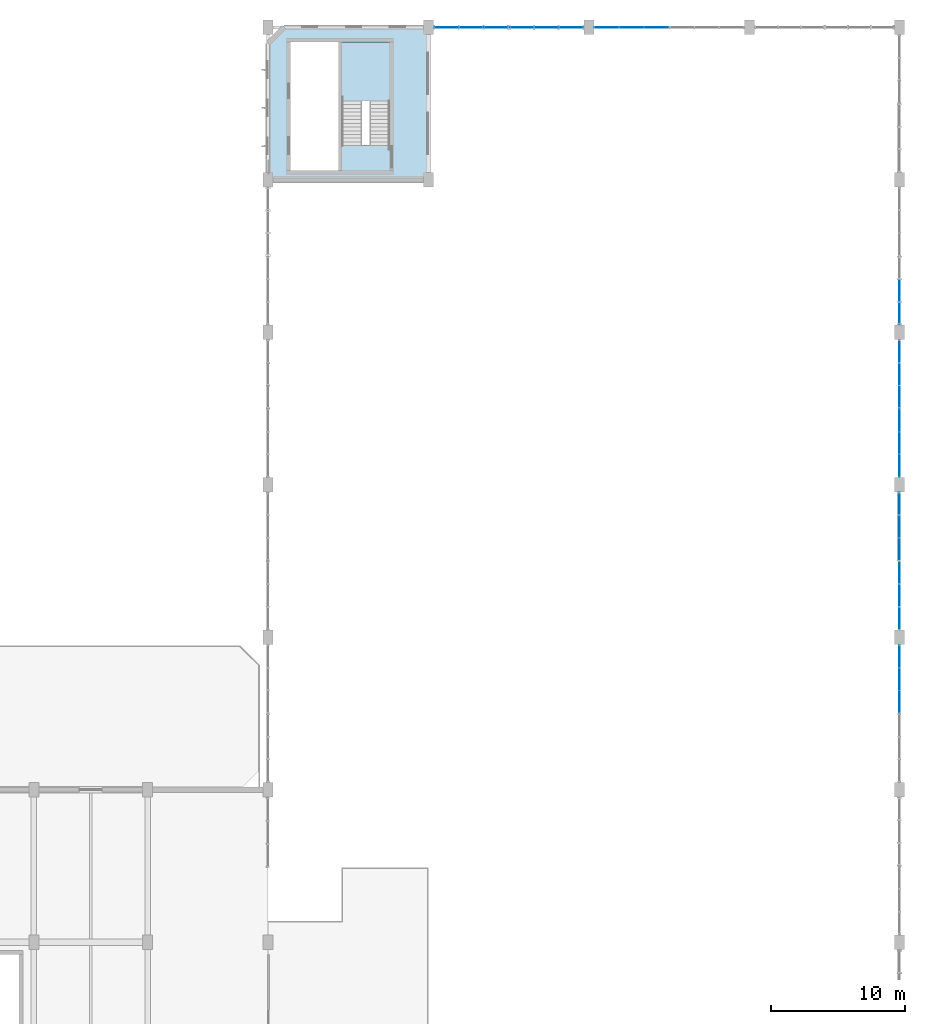
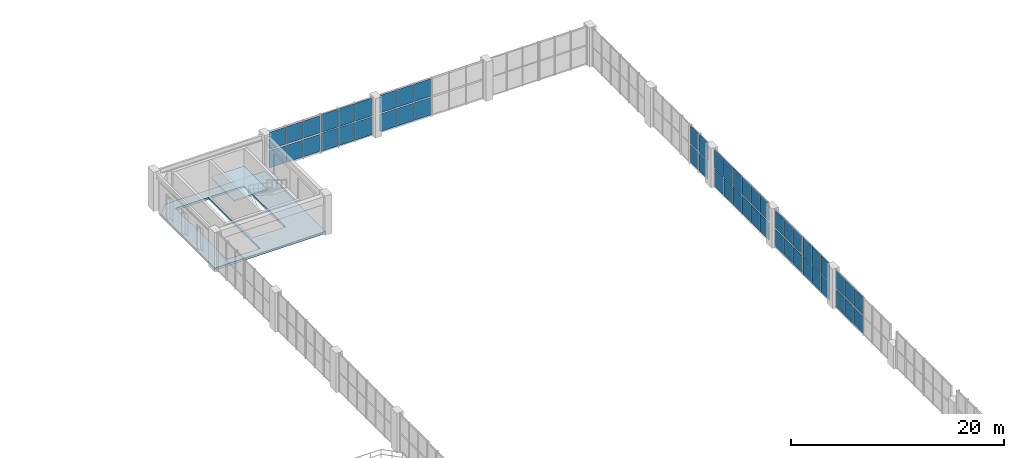
# One storey, part 60 of 80: 52 plates, 2 slabs, 10 elements without a shape of their own.
"""IFC4 building model written with IfcOpenShell, lengths in metres."""

from ifc_helpers import new_model, si_unit, direction, frame, origin, origin_2d, place, context, subcontext, project, spatial, polyline, rectangle, outline, extrude, material, layer, layer_set, type_object, element, aggregate, save


model = new_model("IFC4")

# Units and contexts
model_context = context("Model", 3, precision=1e-05, world=origin(), true_north=direction((0.0, 1.0)))
body_context = subcontext(model_context, "Body", "Model", "MODEL_VIEW")
ifc_project = project(units=[si_unit("LENGTHUNIT", "METRE"), si_unit("AREAUNIT", "SQUARE_METRE"), si_unit("VOLUMEUNIT", "CUBIC_METRE"), si_unit("PLANEANGLEUNIT", "RADIAN"), si_unit("MASSUNIT", "GRAM", prefix="KILO"), si_unit("POWERUNIT", "WATT"), si_unit("THERMODYNAMICTEMPERATUREUNIT", "KELVIN")], contexts=[model_context])

# Site, building, storey
site_placement = place(None, origin())
site = spatial("IfcSite", under=ifc_project, at=site_placement, CompositionType="ELEMENT")
building_placement = place(site_placement, origin())
building = spatial("IfcBuilding", under=site, at=building_placement, Name="Kelmbourne Parkland Aquatics Centre", CompositionType="ELEMENT")
storey_placement = place(building_placement, frame((0.0, 0.0, 10.199951171875)))
storey = spatial("IfcBuildingStorey", under=building, at=storey_placement, Name="L02", CompositionType="ELEMENT", Elevation=10.199951171875)

# Curtain wall, plates
ifc_material_1 = material(Name="Thermally broken anodised aluminium framing", Category="aluminium")
ifc_layer_1 = layer(ifc_material_1, 0.179931640625)
ifc_layer_set_1 = layer_set([ifc_layer_1], Name="Thermally broken anodised aluminium framing")
curtain_wall_type_1 = type_object("IfcCurtainWallType", Name="CW-07", PredefinedType="NOTDEFINED", material=ifc_layer_set_1)
curtain_wall_1_placement = place(storey_placement, origin())
curtain_wall_1 = element("IfcCurtainWall", 1, at=curtain_wall_1_placement, inside=storey, type_object=curtain_wall_type_1, Name="Wave-hall clerestory curtain wall CW-L02-055", PredefinedType="NOTDEFINED")
ifc_material_2 = material(Name="Double-glazed low-e laminated safety glass", Category="glass")
ifc_layer_2 = layer(ifc_material_2, 0.0419921875)
ifc_layer_set_2 = layer_set([ifc_layer_2], Name="Double-glazed low-e laminated safety glass")
plate_type_1 = type_object("IfcPlateType", Name="PL-CLR-1", PredefinedType="USERDEFINED", material=ifc_layer_set_2)
plate_1_placement = place(storey_placement, frame((175.199951171875, 64.379638671875, 2.2939453125), z_axis=(0.0, 0.0, 1.0), x_axis=(0.0, 1.0, 0.0)))
plate_1 = element("IfcPlate", 2, at=plate_1_placement, type_object=plate_type_1, Name="CW-L02-055 clerestory glazing 1-0", ObjectType="CLERESTORY GLAZING", PredefinedType="USERDEFINED", context=body_context, shape_type="SweptSolid", body=[
    extrude(rectangle(XDim=1.641357421875, YDim=0.0419921875, at=origin_2d()), origin(), (0.0, 0.0, 1.0), 2.009033203125),
])
plate_2_placement = place(storey_placement, frame((175.199951171875, 66.073974609375, 2.2939453125), z_axis=(0.0, 0.0, 1.0), x_axis=(0.0, 1.0, 0.0)))
plate_2 = element("IfcPlate", 3, at=plate_2_placement, type_object=plate_type_1, Name="CW-L02-055 clerestory glazing 1-1", ObjectType="CLERESTORY GLAZING", PredefinedType="USERDEFINED", context=body_context, shape_type="SweptSolid", body=[
    extrude(rectangle(XDim=1.641357421875, YDim=0.0419921875, at=origin_2d()), origin(), (0.0, 0.0, 1.0), 2.009033203125),
])
plate_3_placement = place(storey_placement, frame((175.199951171875, 67.768310546875, 2.2939453125), z_axis=(0.0, 0.0, 1.0), x_axis=(0.0, 1.0, 0.0)))
plate_3 = element("IfcPlate", 4, at=plate_3_placement, type_object=plate_type_1, Name="CW-L02-055 clerestory glazing 1-2", ObjectType="CLERESTORY GLAZING", PredefinedType="USERDEFINED", context=body_context, shape_type="SweptSolid", body=[
    extrude(rectangle(XDim=1.641357421875, YDim=0.0419921875, at=origin_2d()), origin(), (0.0, 0.0, 1.0), 2.009033203125),
])

ifc_layer_3 = layer(ifc_material_1, 0.179931640625)
ifc_layer_set_3 = layer_set([ifc_layer_3], Name="Thermally broken anodised aluminium framing")
curtain_wall_type_2 = type_object("IfcCurtainWallType", Name="CW-12", PredefinedType="NOTDEFINED", material=ifc_layer_set_3)
curtain_wall_2_placement = place(storey_placement, origin())
curtain_wall_2 = element("IfcCurtainWall", 5, at=curtain_wall_2_placement, inside=storey, type_object=curtain_wall_type_2, Name="Wave-hall clerestory curtain wall CW-L02-060", PredefinedType="NOTDEFINED")
plate_4_placement = place(storey_placement, frame((175.199951171875, 70.631591796875, 2.279296875), z_axis=(0.0, 0.0, 1.0), x_axis=(0.0, 1.0, 0.0)))
plate_4 = element("IfcPlate", 6, at=plate_4_placement, type_object=plate_type_1, Name="CW-L02-060 clerestory glazing 1-0", ObjectType="CLERESTORY GLAZING", PredefinedType="USERDEFINED", context=body_context, shape_type="SweptSolid", body=[
    extrude(rectangle(XDim=1.641357421875, YDim=0.0419921875, at=origin_2d()), origin(), (0.0, 0.0, 1.0), 2.053955078125),
])
plate_5_placement = place(storey_placement, frame((175.199951171875, 72.325927734375, 2.279296875), z_axis=(0.0, 0.0, 1.0), x_axis=(0.0, 1.0, 0.0)))
plate_5 = element("IfcPlate", 7, at=plate_5_placement, type_object=plate_type_1, Name="CW-L02-060 clerestory glazing 1-1", ObjectType="CLERESTORY GLAZING", PredefinedType="USERDEFINED", context=body_context, shape_type="SweptSolid", body=[
    extrude(rectangle(XDim=1.641357421875, YDim=0.0419921875, at=origin_2d()), origin(), (0.0, 0.0, 1.0), 2.053955078125),
])
plate_6_placement = place(storey_placement, frame((175.199951171875, 74.020263671875, 2.279296875), z_axis=(0.0, 0.0, 1.0), x_axis=(0.0, 1.0, 0.0)))
plate_6 = element("IfcPlate", 8, at=plate_6_placement, type_object=plate_type_1, Name="CW-L02-060 clerestory glazing 1-2", ObjectType="CLERESTORY GLAZING", PredefinedType="USERDEFINED", context=body_context, shape_type="SweptSolid", body=[
    extrude(rectangle(XDim=1.641357421875, YDim=0.0419921875, at=origin_2d()), origin(), (0.0, 0.0, 1.0), 2.053955078125),
])

ifc_layer_4 = layer(ifc_material_1, 0.179931640625)
ifc_layer_set_4 = layer_set([ifc_layer_4], Name="Thermally broken anodised aluminium framing")
curtain_wall_type_3 = type_object("IfcCurtainWallType", Name="CW-17", PredefinedType="NOTDEFINED", material=ifc_layer_set_4)
curtain_wall_3_placement = place(storey_placement, origin())
curtain_wall_3 = element("IfcCurtainWall", 9, at=curtain_wall_3_placement, inside=storey, type_object=curtain_wall_type_3, Name="Wave-hall clerestory curtain wall CW-L02-065", PredefinedType="NOTDEFINED")
plate_7_placement = place(storey_placement, frame((175.199951171875, 75.77978515625, 2.30908203125), z_axis=(0.0, 0.0, 1.0), x_axis=(0.0, 1.0, 0.0)))
plate_7 = element("IfcPlate", 10, at=plate_7_placement, type_object=plate_type_1, Name="CW-L02-065 clerestory glazing 1-0", ObjectType="CLERESTORY GLAZING", PredefinedType="USERDEFINED", context=body_context, shape_type="SweptSolid", body=[
    extrude(rectangle(XDim=1.641357421875, YDim=0.0419921875, at=origin_2d()), origin(), (0.0, 0.0, 1.0), 1.964111328125),
])
plate_8_placement = place(storey_placement, frame((175.199951171875, 77.47412109375, 2.30908203125), z_axis=(0.0, 0.0, 1.0), x_axis=(0.0, 1.0, 0.0)))
plate_8 = element("IfcPlate", 11, at=plate_8_placement, type_object=plate_type_1, Name="CW-L02-065 clerestory glazing 1-1", ObjectType="CLERESTORY GLAZING", PredefinedType="USERDEFINED", context=body_context, shape_type="SweptSolid", body=[
    extrude(rectangle(XDim=1.641357421875, YDim=0.0419921875, at=origin_2d()), origin(), (0.0, 0.0, 1.0), 1.964111328125),
])
plate_9_placement = place(storey_placement, frame((175.199951171875, 79.16845703125, 2.30908203125), z_axis=(0.0, 0.0, 1.0), x_axis=(0.0, 1.0, 0.0)))
plate_9 = element("IfcPlate", 12, at=plate_9_placement, type_object=plate_type_1, Name="CW-L02-065 clerestory glazing 1-2", ObjectType="CLERESTORY GLAZING", PredefinedType="USERDEFINED", context=body_context, shape_type="SweptSolid", body=[
    extrude(rectangle(XDim=1.641357421875, YDim=0.0419921875, at=origin_2d()), origin(), (0.0, 0.0, 1.0), 1.964111328125),
])

ifc_layer_5 = layer(ifc_material_1, 0.179931640625)
ifc_layer_set_5 = layer_set([ifc_layer_5], Name="Thermally broken anodised aluminium framing")
curtain_wall_type_4 = type_object("IfcCurtainWallType", Name="CW-22", PredefinedType="NOTDEFINED", material=ifc_layer_set_5)
curtain_wall_4_placement = place(storey_placement, origin())
curtain_wall_4 = element("IfcCurtainWall", 13, at=curtain_wall_4_placement, inside=storey, type_object=curtain_wall_type_4, Name="Wave-hall clerestory curtain wall CW-L02-070", PredefinedType="NOTDEFINED")
plate_10_placement = place(storey_placement, frame((175.199951171875, 82.031494140625, 2.2939453125), z_axis=(0.0, 0.0, 1.0), x_axis=(0.0, 1.0, 0.0)))
plate_10 = element("IfcPlate", 14, at=plate_10_placement, type_object=plate_type_1, Name="CW-L02-070 clerestory glazing 1-0", ObjectType="CLERESTORY GLAZING", PredefinedType="USERDEFINED", context=body_context, shape_type="SweptSolid", body=[
    extrude(rectangle(XDim=1.641357421875, YDim=0.0419921875, at=origin_2d()), origin(), (0.0, 0.0, 1.0), 2.009033203125),
])
plate_11_placement = place(storey_placement, frame((175.199951171875, 83.72607421875, 2.2939453125), z_axis=(0.0, 0.0, 1.0), x_axis=(0.0, 1.0, 0.0)))
plate_11 = element("IfcPlate", 15, at=plate_11_placement, type_object=plate_type_1, Name="CW-L02-070 clerestory glazing 1-1", ObjectType="CLERESTORY GLAZING", PredefinedType="USERDEFINED", context=body_context, shape_type="SweptSolid", body=[
    extrude(rectangle(XDim=1.641357421875, YDim=0.0419921875, at=origin_2d()), origin(), (0.0, 0.0, 1.0), 2.009033203125),
])
plate_12_placement = place(storey_placement, frame((175.199951171875, 85.42041015625, 2.2939453125), z_axis=(0.0, 0.0, 1.0), x_axis=(0.0, 1.0, 0.0)))
plate_12 = element("IfcPlate", 16, at=plate_12_placement, type_object=plate_type_1, Name="CW-L02-070 clerestory glazing 1-2", ObjectType="CLERESTORY GLAZING", PredefinedType="USERDEFINED", context=body_context, shape_type="SweptSolid", body=[
    extrude(rectangle(XDim=1.641357421875, YDim=0.0419921875, at=origin_2d()), origin(), (0.0, 0.0, 1.0), 2.009033203125),
])

ifc_layer_6 = layer(ifc_material_1, 0.179931640625)
ifc_layer_set_6 = layer_set([ifc_layer_6], Name="Thermally broken anodised aluminium framing")
curtain_wall_type_5 = type_object("IfcCurtainWallType", Name="CW-03", PredefinedType="NOTDEFINED", material=ifc_layer_set_6)
curtain_wall_5_placement = place(storey_placement, origin())
curtain_wall_5 = element("IfcCurtainWall", 17, at=curtain_wall_5_placement, inside=storey, type_object=curtain_wall_type_5, Name="Wave-hall clerestory curtain wall CW-L02-075", PredefinedType="NOTDEFINED")
plate_13_placement = place(storey_placement, frame((175.199951171875, 87.1796875, 2.279296875), z_axis=(0.0, 0.0, 1.0), x_axis=(0.0, 1.0, 0.0)))
plate_13 = element("IfcPlate", 18, at=plate_13_placement, type_object=plate_type_1, Name="CW-L02-075 clerestory glazing 1-0", ObjectType="CLERESTORY GLAZING", PredefinedType="USERDEFINED", context=body_context, shape_type="SweptSolid", body=[
    extrude(rectangle(XDim=1.641357421875, YDim=0.0419921875, at=origin_2d()), origin(), (0.0, 0.0, 1.0), 2.053955078125),
])
plate_14_placement = place(storey_placement, frame((175.199951171875, 88.8740234375, 2.279296875), z_axis=(0.0, 0.0, 1.0), x_axis=(0.0, 1.0, 0.0)))
plate_14 = element("IfcPlate", 19, at=plate_14_placement, type_object=plate_type_1, Name="CW-L02-075 clerestory glazing 1-1", ObjectType="CLERESTORY GLAZING", PredefinedType="USERDEFINED", context=body_context, shape_type="SweptSolid", body=[
    extrude(rectangle(XDim=1.641357421875, YDim=0.0419921875, at=origin_2d()), origin(), (0.0, 0.0, 1.0), 2.053955078125),
])
plate_15_placement = place(storey_placement, frame((175.199951171875, 90.568359375, 2.279296875), z_axis=(0.0, 0.0, 1.0), x_axis=(0.0, 1.0, 0.0)))
plate_15 = element("IfcPlate", 20, at=plate_15_placement, type_object=plate_type_1, Name="CW-L02-075 clerestory glazing 1-2", ObjectType="CLERESTORY GLAZING", PredefinedType="USERDEFINED", context=body_context, shape_type="SweptSolid", body=[
    extrude(rectangle(XDim=1.641357421875, YDim=0.0419921875, at=origin_2d()), origin(), (0.0, 0.0, 1.0), 2.053955078125),
])

curtain_wall_6_placement = place(storey_placement, origin())
curtain_wall_6 = element("IfcCurtainWall", 21, at=curtain_wall_6_placement, inside=storey, type_object=curtain_wall_type_2, Name="Wave-hall clerestory curtain wall CW-L02-084", PredefinedType="NOTDEFINED")
plate_16_placement = place(storey_placement, frame((175.199951171875, 93.445068359375, 2.279296875), z_axis=(0.0, 0.0, 1.0), x_axis=(0.0, 1.0, 0.0)))
plate_16 = element("IfcPlate", 22, at=plate_16_placement, type_object=plate_type_1, Name="CW-L02-084 clerestory glazing 1-0", ObjectType="CLERESTORY GLAZING", PredefinedType="USERDEFINED", context=body_context, shape_type="SweptSolid", body=[
    extrude(rectangle(XDim=1.587890625, YDim=0.0419921875, at=origin_2d()), origin(), (0.0, 0.0, 1.0), 2.053955078125),
])
plate_17_placement = place(storey_placement, frame((175.199951171875, 95.1259765625, 2.279296875), z_axis=(0.0, 0.0, 1.0), x_axis=(0.0, 1.0, 0.0)))
plate_17 = element("IfcPlate", 23, at=plate_17_placement, type_object=plate_type_1, Name="CW-L02-084 clerestory glazing 1-1", ObjectType="CLERESTORY GLAZING", PredefinedType="USERDEFINED", context=body_context, shape_type="SweptSolid", body=[
    extrude(rectangle(XDim=1.587890625, YDim=0.0419921875, at=origin_2d()), origin(), (0.0, 0.0, 1.0), 2.053955078125),
])

ifc_layer_7 = layer(ifc_material_1, 0.179931640625)
ifc_layer_set_7 = layer_set([ifc_layer_7], Name="Thermally broken anodised aluminium framing")
curtain_wall_type_6 = type_object("IfcCurtainWallType", Name="CW-23", PredefinedType="NOTDEFINED", material=ifc_layer_set_7)
curtain_wall_7_placement = place(storey_placement, origin())
curtain_wall_7 = element("IfcCurtainWall", 24, at=curtain_wall_7_placement, inside=storey, type_object=curtain_wall_type_6, Name="Wave-hall clerestory curtain wall CW-L02-143", PredefinedType="NOTDEFINED")
plate_18_placement = place(storey_placement, frame((141.345947265625, 114.800048828125, 2.30908203125), z_axis=(0.0, 0.0, 1.0), x_axis=(1.0, 0.0, 0.0)))
plate_18 = element("IfcPlate", 25, at=plate_18_placement, type_object=plate_type_1, Name="CW-L02-143 clerestory glazing 1-0", ObjectType="CLERESTORY GLAZING", PredefinedType="USERDEFINED", context=body_context, shape_type="SweptSolid", body=[
    extrude(rectangle(XDim=1.759765625, YDim=0.0419921875, at=origin_2d()), origin(), (0.0, 0.0, 1.0), 1.964111328125),
])
plate_19_placement = place(storey_placement, frame((143.1884765625, 114.800048828125, 2.30908203125), z_axis=(0.0, 0.0, 1.0), x_axis=(1.0, 0.0, 0.0)))
plate_19 = element("IfcPlate", 26, at=plate_19_placement, type_object=plate_type_1, Name="CW-L02-143 clerestory glazing 1-1", ObjectType="CLERESTORY GLAZING", PredefinedType="USERDEFINED", context=body_context, shape_type="SweptSolid", body=[
    extrude(rectangle(XDim=1.759521484375, YDim=0.0419921875, at=origin_2d()), origin(), (0.0, 0.0, 1.0), 1.964111328125),
])
plate_20_placement = place(storey_placement, frame((145.031005859375, 114.800048828125, 2.30908203125), z_axis=(0.0, 0.0, 1.0), x_axis=(1.0, 0.0, 0.0)))
plate_20 = element("IfcPlate", 27, at=plate_20_placement, type_object=plate_type_1, Name="CW-L02-143 clerestory glazing 1-2", ObjectType="CLERESTORY GLAZING", PredefinedType="USERDEFINED", context=body_context, shape_type="SweptSolid", body=[
    extrude(rectangle(XDim=1.759765625, YDim=0.0419921875, at=origin_2d()), origin(), (0.0, 0.0, 1.0), 1.964111328125),
])

ifc_layer_8 = layer(ifc_material_1, 0.179931640625)
ifc_layer_set_8 = layer_set([ifc_layer_8], Name="Thermally broken anodised aluminium framing")
curtain_wall_type_7 = type_object("IfcCurtainWallType", Name="CW-24", PredefinedType="NOTDEFINED", material=ifc_layer_set_8)
curtain_wall_8_placement = place(storey_placement, origin())
curtain_wall_8 = element("IfcCurtainWall", 28, at=curtain_wall_8_placement, inside=storey, type_object=curtain_wall_type_7, Name="Wave-hall clerestory curtain wall CW-L02-144", PredefinedType="NOTDEFINED")
plate_21_placement = place(storey_placement, frame((146.97216796875, 114.800048828125, 2.279296875), z_axis=(0.0, 0.0, 1.0), x_axis=(1.0, 0.0, 0.0)))
plate_21 = element("IfcPlate", 29, at=plate_21_placement, type_object=plate_type_1, Name="CW-L02-144 clerestory glazing 1-0", ObjectType="CLERESTORY GLAZING", PredefinedType="USERDEFINED", context=body_context, shape_type="SweptSolid", body=[
    extrude(rectangle(XDim=1.746337890625, YDim=0.0419921875, at=origin_2d()), origin(), (0.0, 0.0, 1.0), 2.053955078125),
])
plate_22_placement = place(storey_placement, frame((148.8115234375, 114.800048828125, 2.279296875), z_axis=(0.0, 0.0, 1.0), x_axis=(1.0, 0.0, 0.0)))
plate_22 = element("IfcPlate", 30, at=plate_22_placement, type_object=plate_type_1, Name="CW-L02-144 clerestory glazing 1-1", ObjectType="CLERESTORY GLAZING", PredefinedType="USERDEFINED", context=body_context, shape_type="SweptSolid", body=[
    extrude(rectangle(XDim=1.746337890625, YDim=0.0419921875, at=origin_2d()), origin(), (0.0, 0.0, 1.0), 2.053955078125),
])
plate_23_placement = place(storey_placement, frame((150.65087890625, 114.800048828125, 2.279296875), z_axis=(0.0, 0.0, 1.0), x_axis=(1.0, 0.0, 0.0)))
plate_23 = element("IfcPlate", 31, at=plate_23_placement, type_object=plate_type_1, Name="CW-L02-144 clerestory glazing 1-2", ObjectType="CLERESTORY GLAZING", PredefinedType="USERDEFINED", context=body_context, shape_type="SweptSolid", body=[
    extrude(rectangle(XDim=1.746337890625, YDim=0.0419921875, at=origin_2d()), origin(), (0.0, 0.0, 1.0), 2.053955078125),
])

ifc_layer_9 = layer(ifc_material_1, 0.179931640625)
ifc_layer_set_9 = layer_set([ifc_layer_9], Name="Thermally broken anodised aluminium framing")
curtain_wall_type_8 = type_object("IfcCurtainWallType", Name="CW-01", PredefinedType="NOTDEFINED", material=ifc_layer_set_9)
curtain_wall_9_placement = place(storey_placement, origin())
curtain_wall_9 = element("IfcCurtainWall", 32, at=curtain_wall_9_placement, inside=storey, type_object=curtain_wall_type_8, Name="Wave-hall clerestory curtain wall CW-L02-145", PredefinedType="NOTDEFINED")
plate_24_placement = place(storey_placement, frame((153.3359375, 114.800048828125, 2.2939453125), z_axis=(0.0, 0.0, 1.0), x_axis=(1.0, 0.0, 0.0)))
plate_24 = element("IfcPlate", 33, at=plate_24_placement, type_object=plate_type_1, Name="CW-L02-145 clerestory glazing 1-0", ObjectType="CLERESTORY GLAZING", PredefinedType="USERDEFINED", context=body_context, shape_type="SweptSolid", body=[
    extrude(rectangle(XDim=1.7998046875, YDim=0.0419921875, at=origin_2d()), origin(), (0.0, 0.0, 1.0), 2.009033203125),
])
plate_25_placement = place(storey_placement, frame((155.1884765625, 114.800048828125, 2.2939453125), z_axis=(0.0, 0.0, 1.0), x_axis=(1.0, 0.0, 0.0)))
plate_25 = element("IfcPlate", 34, at=plate_25_placement, type_object=plate_type_1, Name="CW-L02-145 clerestory glazing 1-1", ObjectType="CLERESTORY GLAZING", PredefinedType="USERDEFINED", context=body_context, shape_type="SweptSolid", body=[
    extrude(rectangle(XDim=1.799560546875, YDim=0.0419921875, at=origin_2d()), origin(), (0.0, 0.0, 1.0), 2.009033203125),
])
plate_26_placement = place(storey_placement, frame((157.041259765625, 114.800048828125, 2.2939453125), z_axis=(0.0, 0.0, 1.0), x_axis=(1.0, 0.0, 0.0)))
plate_26 = element("IfcPlate", 35, at=plate_26_placement, type_object=plate_type_1, Name="CW-L02-145 clerestory glazing 1-2", ObjectType="CLERESTORY GLAZING", PredefinedType="USERDEFINED", context=body_context, shape_type="SweptSolid", body=[
    extrude(rectangle(XDim=1.7998046875, YDim=0.0419921875, at=origin_2d()), origin(), (0.0, 0.0, 1.0), 2.009033203125),
])

# Plate
ifc_layer_10 = layer(ifc_material_2, 0.02392578125)
ifc_layer_set_10 = layer_set([ifc_layer_10], Name="Double-glazed low-e laminated safety glass")
plate_type_2 = type_object("IfcPlateType", Name="PL-CWP-1", PredefinedType="CURTAIN_PANEL", material=ifc_layer_set_10)
plate_27_placement = place(storey_placement, frame((175.199951171875, 70.631591796875, 0.1171875), z_axis=(0.0, 0.0, 1.0), x_axis=(0.0, 1.0, 0.0)))
plate_27 = element("IfcPlate", 36, at=plate_27_placement, type_object=plate_type_2, Name="CW-L02-060 vision glazing 0-0", PredefinedType="CURTAIN_PANEL", context=body_context, shape_type="SweptSolid", body=[
    extrude(rectangle(XDim=1.641357421875, YDim=0.02392578125, at=origin_2d()), origin(), (0.0, 0.0, 1.0), 2.053955078125),
])

plate_28_placement = place(storey_placement, frame((175.199951171875, 72.325927734375, 0.1171875), z_axis=(0.0, 0.0, 1.0), x_axis=(0.0, 1.0, 0.0)))
plate_28 = element("IfcPlate", 37, at=plate_28_placement, type_object=plate_type_2, Name="CW-L02-060 vision glazing 0-1", PredefinedType="CURTAIN_PANEL", context=body_context, shape_type="SweptSolid", body=[
    extrude(rectangle(XDim=1.641357421875, YDim=0.02392578125, at=origin_2d()), origin(), (0.0, 0.0, 1.0), 2.053955078125),
])

plate_29_placement = place(storey_placement, frame((175.199951171875, 74.020263671875, 0.1171875), z_axis=(0.0, 0.0, 1.0), x_axis=(0.0, 1.0, 0.0)))
plate_29 = element("IfcPlate", 38, at=plate_29_placement, type_object=plate_type_2, Name="CW-L02-060 vision glazing 0-2", PredefinedType="CURTAIN_PANEL", context=body_context, shape_type="SweptSolid", body=[
    extrude(rectangle(XDim=1.641357421875, YDim=0.02392578125, at=origin_2d()), origin(), (0.0, 0.0, 1.0), 2.053955078125),
])

aggregate(curtain_wall_2, [plate_27, plate_28, plate_29, plate_4, plate_5, plate_6])

plate_30_placement = place(storey_placement, frame((175.199951171875, 87.1796875, 0.1171875), z_axis=(0.0, 0.0, 1.0), x_axis=(0.0, 1.0, 0.0)))
plate_30 = element("IfcPlate", 39, at=plate_30_placement, type_object=plate_type_2, Name="CW-L02-075 vision glazing 0-0", PredefinedType="CURTAIN_PANEL", context=body_context, shape_type="SweptSolid", body=[
    extrude(rectangle(XDim=1.641357421875, YDim=0.02392578125, at=origin_2d()), origin(), (0.0, 0.0, 1.0), 2.053955078125),
])

plate_31_placement = place(storey_placement, frame((175.199951171875, 88.8740234375, 0.1171875), z_axis=(0.0, 0.0, 1.0), x_axis=(0.0, 1.0, 0.0)))
plate_31 = element("IfcPlate", 40, at=plate_31_placement, type_object=plate_type_2, Name="CW-L02-075 vision glazing 0-1", PredefinedType="CURTAIN_PANEL", context=body_context, shape_type="SweptSolid", body=[
    extrude(rectangle(XDim=1.641357421875, YDim=0.02392578125, at=origin_2d()), origin(), (0.0, 0.0, 1.0), 2.053955078125),
])

plate_32_placement = place(storey_placement, frame((175.199951171875, 90.568359375, 0.1171875), z_axis=(0.0, 0.0, 1.0), x_axis=(0.0, 1.0, 0.0)))
plate_32 = element("IfcPlate", 41, at=plate_32_placement, type_object=plate_type_2, Name="CW-L02-075 vision glazing 0-2", PredefinedType="CURTAIN_PANEL", context=body_context, shape_type="SweptSolid", body=[
    extrude(rectangle(XDim=1.641357421875, YDim=0.02392578125, at=origin_2d()), origin(), (0.0, 0.0, 1.0), 2.053955078125),
])

aggregate(curtain_wall_5, [plate_30, plate_31, plate_32, plate_13, plate_14, plate_15])

plate_33_placement = place(storey_placement, frame((175.199951171875, 93.445068359375, 0.1171875), z_axis=(0.0, 0.0, 1.0), x_axis=(0.0, 1.0, 0.0)))
plate_33 = element("IfcPlate", 42, at=plate_33_placement, type_object=plate_type_2, Name="CW-L02-084 vision glazing 0-0", PredefinedType="CURTAIN_PANEL", context=body_context, shape_type="SweptSolid", body=[
    extrude(rectangle(XDim=1.587890625, YDim=0.02392578125, at=origin_2d()), origin(), (0.0, 0.0, 1.0), 2.053955078125),
])

plate_34_placement = place(storey_placement, frame((175.199951171875, 95.1259765625, 0.1171875), z_axis=(0.0, 0.0, 1.0), x_axis=(0.0, 1.0, 0.0)))
plate_34 = element("IfcPlate", 43, at=plate_34_placement, type_object=plate_type_2, Name="CW-L02-084 vision glazing 0-1", PredefinedType="CURTAIN_PANEL", context=body_context, shape_type="SweptSolid", body=[
    extrude(rectangle(XDim=1.587890625, YDim=0.02392578125, at=origin_2d()), origin(), (0.0, 0.0, 1.0), 2.053955078125),
])

aggregate(curtain_wall_6, [plate_33, plate_34, plate_16, plate_17])

plate_35_placement = place(storey_placement, frame((146.97216796875, 114.800048828125, 0.1171875), z_axis=(0.0, 0.0, 1.0), x_axis=(1.0, 0.0, 0.0)))
plate_35 = element("IfcPlate", 44, at=plate_35_placement, type_object=plate_type_2, Name="CW-L02-144 vision glazing 0-0", PredefinedType="CURTAIN_PANEL", context=body_context, shape_type="SweptSolid", body=[
    extrude(rectangle(XDim=1.746337890625, YDim=0.02392578125, at=origin_2d()), origin(), (0.0, 0.0, 1.0), 2.053955078125),
])

plate_36_placement = place(storey_placement, frame((148.8115234375, 114.800048828125, 0.1171875), z_axis=(0.0, 0.0, 1.0), x_axis=(1.0, 0.0, 0.0)))
plate_36 = element("IfcPlate", 45, at=plate_36_placement, type_object=plate_type_2, Name="CW-L02-144 vision glazing 0-1", PredefinedType="CURTAIN_PANEL", context=body_context, shape_type="SweptSolid", body=[
    extrude(rectangle(XDim=1.746337890625, YDim=0.02392578125, at=origin_2d()), origin(), (0.0, 0.0, 1.0), 2.053955078125),
])

plate_37_placement = place(storey_placement, frame((150.65087890625, 114.800048828125, 0.1171875), z_axis=(0.0, 0.0, 1.0), x_axis=(1.0, 0.0, 0.0)))
plate_37 = element("IfcPlate", 46, at=plate_37_placement, type_object=plate_type_2, Name="CW-L02-144 vision glazing 0-2", PredefinedType="CURTAIN_PANEL", context=body_context, shape_type="SweptSolid", body=[
    extrude(rectangle(XDim=1.746337890625, YDim=0.02392578125, at=origin_2d()), origin(), (0.0, 0.0, 1.0), 2.053955078125),
])

aggregate(curtain_wall_8, [plate_35, plate_36, plate_37, plate_21, plate_22, plate_23])

ifc_layer_11 = layer(ifc_material_2, 0.035888671875)
ifc_layer_set_11 = layer_set([ifc_layer_11], Name="Double-glazed low-e laminated safety glass")
plate_type_3 = type_object("IfcPlateType", Name="PL-CWP-2", PredefinedType="CURTAIN_PANEL", material=ifc_layer_set_11)
plate_38_placement = place(storey_placement, frame((175.199951171875, 64.379638671875, 0.14697265625), z_axis=(0.0, 0.0, 1.0), x_axis=(0.0, 1.0, 0.0)))
plate_38 = element("IfcPlate", 47, at=plate_38_placement, type_object=plate_type_3, Name="CW-L02-055 vision glazing 0-0", PredefinedType="CURTAIN_PANEL", context=body_context, shape_type="SweptSolid", body=[
    extrude(rectangle(XDim=1.641357421875, YDim=0.035888671875, at=origin_2d()), origin(), (0.0, 0.0, 1.0), 2.009033203125),
])

plate_39_placement = place(storey_placement, frame((175.199951171875, 66.073974609375, 0.14697265625), z_axis=(0.0, 0.0, 1.0), x_axis=(0.0, 1.0, 0.0)))
plate_39 = element("IfcPlate", 48, at=plate_39_placement, type_object=plate_type_3, Name="CW-L02-055 vision glazing 0-1", PredefinedType="CURTAIN_PANEL", context=body_context, shape_type="SweptSolid", body=[
    extrude(rectangle(XDim=1.641357421875, YDim=0.035888671875, at=origin_2d()), origin(), (0.0, 0.0, 1.0), 2.009033203125),
])

plate_40_placement = place(storey_placement, frame((175.199951171875, 67.768310546875, 0.14697265625), z_axis=(0.0, 0.0, 1.0), x_axis=(0.0, 1.0, 0.0)))
plate_40 = element("IfcPlate", 49, at=plate_40_placement, type_object=plate_type_3, Name="CW-L02-055 vision glazing 0-2", PredefinedType="CURTAIN_PANEL", context=body_context, shape_type="SweptSolid", body=[
    extrude(rectangle(XDim=1.641357421875, YDim=0.035888671875, at=origin_2d()), origin(), (0.0, 0.0, 1.0), 2.009033203125),
])

aggregate(curtain_wall_1, [plate_38, plate_39, plate_40, plate_1, plate_2, plate_3])

plate_41_placement = place(storey_placement, frame((175.199951171875, 82.031494140625, 0.14697265625), z_axis=(0.0, 0.0, 1.0), x_axis=(0.0, 1.0, 0.0)))
plate_41 = element("IfcPlate", 50, at=plate_41_placement, type_object=plate_type_3, Name="CW-L02-070 vision glazing 0-0", PredefinedType="CURTAIN_PANEL", context=body_context, shape_type="SweptSolid", body=[
    extrude(rectangle(XDim=1.641357421875, YDim=0.035888671875, at=origin_2d()), origin(), (0.0, 0.0, 1.0), 2.009033203125),
])

plate_42_placement = place(storey_placement, frame((175.199951171875, 83.72607421875, 0.14697265625), z_axis=(0.0, 0.0, 1.0), x_axis=(0.0, 1.0, 0.0)))
plate_42 = element("IfcPlate", 51, at=plate_42_placement, type_object=plate_type_3, Name="CW-L02-070 vision glazing 0-1", PredefinedType="CURTAIN_PANEL", context=body_context, shape_type="SweptSolid", body=[
    extrude(rectangle(XDim=1.641357421875, YDim=0.035888671875, at=origin_2d()), origin(), (0.0, 0.0, 1.0), 2.009033203125),
])

plate_43_placement = place(storey_placement, frame((175.199951171875, 85.42041015625, 0.14697265625), z_axis=(0.0, 0.0, 1.0), x_axis=(0.0, 1.0, 0.0)))
plate_43 = element("IfcPlate", 52, at=plate_43_placement, type_object=plate_type_3, Name="CW-L02-070 vision glazing 0-2", PredefinedType="CURTAIN_PANEL", context=body_context, shape_type="SweptSolid", body=[
    extrude(rectangle(XDim=1.641357421875, YDim=0.035888671875, at=origin_2d()), origin(), (0.0, 0.0, 1.0), 2.009033203125),
])

aggregate(curtain_wall_4, [plate_41, plate_42, plate_43, plate_10, plate_11, plate_12])

plate_44_placement = place(storey_placement, frame((153.3359375, 114.800048828125, 0.14697265625), z_axis=(0.0, 0.0, 1.0), x_axis=(1.0, 0.0, 0.0)))
plate_44 = element("IfcPlate", 53, at=plate_44_placement, type_object=plate_type_3, Name="CW-L02-145 vision glazing 0-0", PredefinedType="CURTAIN_PANEL", context=body_context, shape_type="SweptSolid", body=[
    extrude(rectangle(XDim=1.7998046875, YDim=0.035888671875, at=origin_2d()), origin(), (0.0, 0.0, 1.0), 2.009033203125),
])

plate_45_placement = place(storey_placement, frame((155.1884765625, 114.800048828125, 0.14697265625), z_axis=(0.0, 0.0, 1.0), x_axis=(1.0, 0.0, 0.0)))
plate_45 = element("IfcPlate", 54, at=plate_45_placement, type_object=plate_type_3, Name="CW-L02-145 vision glazing 0-1", PredefinedType="CURTAIN_PANEL", context=body_context, shape_type="SweptSolid", body=[
    extrude(rectangle(XDim=1.799560546875, YDim=0.035888671875, at=origin_2d()), origin(), (0.0, 0.0, 1.0), 2.009033203125),
])

plate_46_placement = place(storey_placement, frame((157.041259765625, 114.800048828125, 0.14697265625), z_axis=(0.0, 0.0, 1.0), x_axis=(1.0, 0.0, 0.0)))
plate_46 = element("IfcPlate", 55, at=plate_46_placement, type_object=plate_type_3, Name="CW-L02-145 vision glazing 0-2", PredefinedType="CURTAIN_PANEL", context=body_context, shape_type="SweptSolid", body=[
    extrude(rectangle(XDim=1.7998046875, YDim=0.035888671875, at=origin_2d()), origin(), (0.0, 0.0, 1.0), 2.009033203125),
])

aggregate(curtain_wall_9, [plate_44, plate_45, plate_46, plate_24, plate_25, plate_26])

ifc_layer_12 = layer(ifc_material_2, 0.048095703125)
ifc_layer_set_12 = layer_set([ifc_layer_12], Name="Double-glazed low-e laminated safety glass")
plate_type_4 = type_object("IfcPlateType", Name="PL-CWP-3", PredefinedType="CURTAIN_PANEL", material=ifc_layer_set_12)
plate_47_placement = place(storey_placement, frame((175.199951171875, 75.77978515625, 0.1767578125), z_axis=(0.0, 0.0, 1.0), x_axis=(0.0, 1.0, 0.0)))
plate_47 = element("IfcPlate", 56, at=plate_47_placement, type_object=plate_type_4, Name="CW-L02-065 vision glazing 0-0", PredefinedType="CURTAIN_PANEL", context=body_context, shape_type="SweptSolid", body=[
    extrude(rectangle(XDim=1.641357421875, YDim=0.048095703125, at=origin_2d()), origin(), (0.0, 0.0, 1.0), 1.964111328125),
])

plate_48_placement = place(storey_placement, frame((175.199951171875, 77.47412109375, 0.1767578125), z_axis=(0.0, 0.0, 1.0), x_axis=(0.0, 1.0, 0.0)))
plate_48 = element("IfcPlate", 57, at=plate_48_placement, type_object=plate_type_4, Name="CW-L02-065 vision glazing 0-1", PredefinedType="CURTAIN_PANEL", context=body_context, shape_type="SweptSolid", body=[
    extrude(rectangle(XDim=1.641357421875, YDim=0.048095703125, at=origin_2d()), origin(), (0.0, 0.0, 1.0), 1.964111328125),
])

plate_49_placement = place(storey_placement, frame((175.199951171875, 79.16845703125, 0.1767578125), z_axis=(0.0, 0.0, 1.0), x_axis=(0.0, 1.0, 0.0)))
plate_49 = element("IfcPlate", 58, at=plate_49_placement, type_object=plate_type_4, Name="CW-L02-065 vision glazing 0-2", PredefinedType="CURTAIN_PANEL", context=body_context, shape_type="SweptSolid", body=[
    extrude(rectangle(XDim=1.641357421875, YDim=0.048095703125, at=origin_2d()), origin(), (0.0, 0.0, 1.0), 1.964111328125),
])

aggregate(curtain_wall_3, [plate_47, plate_48, plate_49, plate_7, plate_8, plate_9])

plate_50_placement = place(storey_placement, frame((141.345947265625, 114.800048828125, 0.1767578125), z_axis=(0.0, 0.0, 1.0), x_axis=(1.0, 0.0, 0.0)))
plate_50 = element("IfcPlate", 59, at=plate_50_placement, type_object=plate_type_4, Name="CW-L02-143 vision glazing 0-0", PredefinedType="CURTAIN_PANEL", context=body_context, shape_type="SweptSolid", body=[
    extrude(rectangle(XDim=1.759765625, YDim=0.048095703125, at=origin_2d()), origin(), (0.0, 0.0, 1.0), 1.964111328125),
])

plate_51_placement = place(storey_placement, frame((143.1884765625, 114.800048828125, 0.1767578125), z_axis=(0.0, 0.0, 1.0), x_axis=(1.0, 0.0, 0.0)))
plate_51 = element("IfcPlate", 60, at=plate_51_placement, type_object=plate_type_4, Name="CW-L02-143 vision glazing 0-1", PredefinedType="CURTAIN_PANEL", context=body_context, shape_type="SweptSolid", body=[
    extrude(rectangle(XDim=1.759521484375, YDim=0.048095703125, at=origin_2d()), origin(), (0.0, 0.0, 1.0), 1.964111328125),
])

plate_52_placement = place(storey_placement, frame((145.031005859375, 114.800048828125, 0.1767578125), z_axis=(0.0, 0.0, 1.0), x_axis=(1.0, 0.0, 0.0)))
plate_52 = element("IfcPlate", 61, at=plate_52_placement, type_object=plate_type_4, Name="CW-L02-143 vision glazing 0-2", PredefinedType="CURTAIN_PANEL", context=body_context, shape_type="SweptSolid", body=[
    extrude(rectangle(XDim=1.759765625, YDim=0.048095703125, at=origin_2d()), origin(), (0.0, 0.0, 1.0), 1.964111328125),
])

aggregate(curtain_wall_7, [plate_50, plate_51, plate_52, plate_18, plate_19, plate_20])

# Slab
ifc_material_3 = material(Name="Concrete C40/50", Category="concrete")
ifc_layer_13 = layer(ifc_material_3, 0.239990234375)
ifc_layer_set_13 = layer_set([ifc_layer_13], Name="Concrete C40/50")
slab_type_1 = type_object("IfcSlabType", Name="SL-F2", PredefinedType="FLOOR", material=ifc_layer_set_13)
slab_1_placement = place(storey_placement, frame((0.0, 0.0, -0.239990234375)))
element("IfcSlab", 62, at=slab_1_placement, inside=storey, type_object=slab_type_1, Name="Suspended floor slab SLAB-L02-V2", PredefinedType="FLOOR", context=body_context, shape_type="SweptSolid", body=[
    extrude(outline(polyline([(128.0, 103.39990234375), (140.0, 103.39990234375), (140.0, 114.800048828125), (129.199951171875, 114.800048828125), (128.0, 113.60009765625), (128.0, 103.39990234375)]), holes=[polyline([(129.699951171875, 104.10009765625), (129.699951171875, 113.699951171875), (133.27490234375, 113.699951171875), (133.27490234375, 104.10009765625), (129.699951171875, 104.10009765625)]), polyline([(133.52490234375, 105.949951171875), (133.52490234375, 113.699951171875), (137.10009765625, 113.699951171875), (137.10009765625, 105.949951171875), (133.52490234375, 105.949951171875)])]), origin(), (0.0, 0.0, 1.0), 0.239990234375),
])

# Stair, slab
stair_type = type_object("IfcStairType", Name="ST-T18", PredefinedType="HALF_TURN_STAIR", material=ifc_material_3)
stair_placement = place(storey_placement, origin())
stair = element("IfcStair", 63, at=stair_placement, inside=storey, type_object=stair_type, Name="North Diving Control Fire-Fighting Core Stair ST05 (L02)", PredefinedType="HALF_TURN_STAIR")
ifc_layer_14 = layer(ifc_material_3, 0.199951171875)
ifc_layer_set_14 = layer_set([ifc_layer_14], Name="Concrete C40/50")
slab_type_2 = type_object("IfcSlabType", Name="SL-LND-20", PredefinedType="LANDING", material=ifc_layer_set_14)
slab_2_placement = place(storey_placement, frame((0.0, 0.0, 2.050048828125)))
slab_2 = element("IfcSlab", 64, at=slab_2_placement, type_object=slab_type_2, Name="North Diving Control Fire-Fighting Core Stair ST05 half-landing (L02)", PredefinedType="LANDING", context=body_context, shape_type="SweptSolid", body=[
    extrude(outline(polyline([(133.5048828125, 109.31005859375), (137.1201171875, 109.31005859375), (137.1201171875, 113.719970703125), (133.5048828125, 113.719970703125), (133.5048828125, 109.31005859375)])), origin(), (0.0, 0.0, 1.0), 0.199951171875),
])
aggregate(stair, [slab_2])

save(model, "model.ifc")
